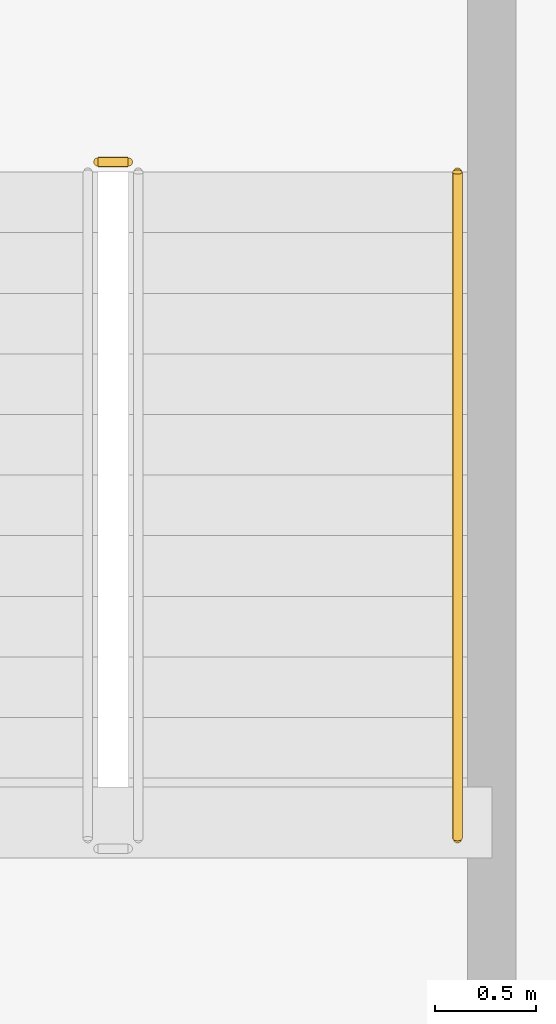
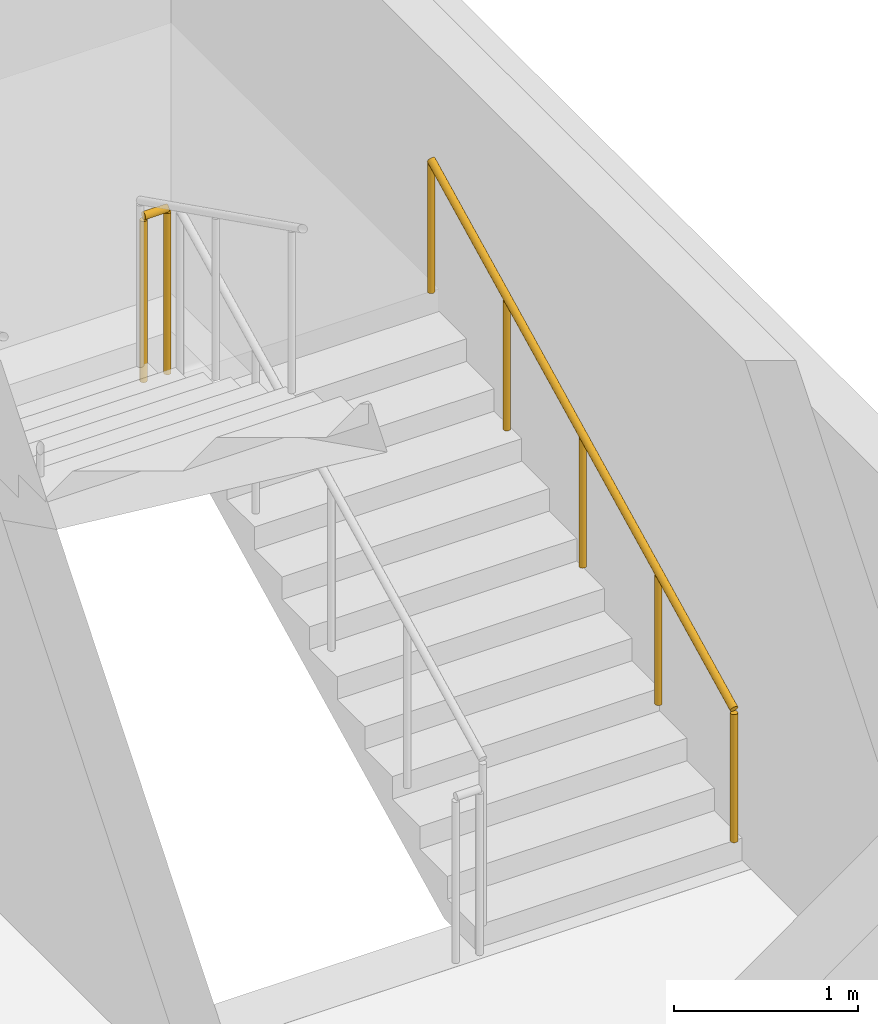
# One storey, part 15 of 15: 2 railings.
"""IFC4 building model written with IfcOpenShell, lengths in metres."""

import ifcopenshell
import ifcopenshell.guid

model = None  # the IFC model being written
_history = None  # IfcOwnerHistory: only IFC2X3 demands one
_inside = {}  # id of a spatial element -> (the spatial element, [elements in it])
_under = {}  # id of a project, library or spatial element -> (it, [spatial elements below it])
_declared = {}  # id of a project -> (the project, [libraries it declares])
_typed = {}  # id of a type object -> (the type object, [elements of that type])
_made_of = {}  # id of a material, layer set ... -> (it, [elements and type objects made of it])


def new_model(schema):
    """Start an empty IFC model of exactly this schema.

    Asked for "IFC4X3", IfcOpenShell would pick the latest addendum, in which some entities
    have other attributes; the version numbers below select the first issue.
    IFC2X3 requires an IfcOwnerHistory on every rooted entity: one is made here for all.
    """
    global model, _history
    if schema == "IFC4X3":
        model = ifcopenshell.file(schema_version=(4, 3, 0, 0))
    else:
        model = ifcopenshell.file(schema=schema)
    _inside.clear()
    _under.clear()
    _declared.clear()
    _typed.clear()
    _made_of.clear()
    _history = None
    if model.schema == "IFC2X3":
        org = make("IfcOrganization", Name="unknown")
        user = make(
            "IfcPersonAndOrganization",
            ThePerson=make("IfcPerson", FamilyName="unknown"),
            TheOrganization=org,
        )
        app = make(
            "IfcApplication",
            ApplicationDeveloper=org,
            Version="unknown",
            ApplicationFullName="unknown",
            ApplicationIdentifier="unknown",
        )
        _history = make(
            "IfcOwnerHistory",
            OwningUser=user,
            OwningApplication=app,
            ChangeAction="ADDED",
            CreationDate=0,
        )
    return model


def make(cls, **values):
    """One entity of the class cls with the attributes given. An attribute that is None is left unset."""
    return model.create_entity(
        cls, **{name: value for name, value in values.items() if value is not None}
    )


def rooted(cls, **values):
    """An entity with a GlobalId (a new one), such as an element, a storey or a relation."""
    return make(cls, GlobalId=ifcopenshell.guid.new(), OwnerHistory=_history, **values)


def si_unit(unit_type, name, prefix=None):
    """IfcSIUnit, for example si_unit("LENGTHUNIT", "METRE", prefix="MILLI")."""
    return make("IfcSIUnit", UnitType=unit_type, Prefix=prefix, Name=name)


def assignment(units):
    """IfcUnitAssignment: the units of a project."""
    return None if units is None else make("IfcUnitAssignment", Units=units)


def point(xyz):
    """IfcCartesianPoint."""
    return None if xyz is None else make("IfcCartesianPoint", Coordinates=xyz)


def direction(xyz):
    """IfcDirection."""
    return None if xyz is None else make("IfcDirection", DirectionRatios=xyz)


def frame(location, z_axis=None, x_axis=None):
    """IfcAxis2Placement3D, a coordinate frame: its origin and axes. An axis left out is left unset."""
    return make(
        "IfcAxis2Placement3D",
        Location=point(location),
        Axis=direction(z_axis),
        RefDirection=direction(x_axis),
    )


def frame_2d(location, x_axis=None):
    """IfcAxis2Placement2D, a coordinate frame in the plane: its origin and x axis."""
    return make(
        "IfcAxis2Placement2D", Location=point(location), RefDirection=direction(x_axis)
    )


def origin():
    """The frame at (0, 0, 0) with its axes left unset."""
    return frame((0.0, 0.0, 0.0))


def origin_2d():
    """The frame at (0, 0) in the plane with its x axis left unset."""
    return frame_2d((0.0, 0.0))


def place(relative_to, where):
    """IfcLocalPlacement: puts the frame where relative to a parent placement (None: the world)."""
    return make(
        "IfcLocalPlacement", PlacementRelTo=relative_to, RelativePlacement=where
    )


def context(
    kind, dimensions, precision=None, world=None, true_north=None, identifier=None
):
    """IfcGeometricRepresentationContext, for example the 3D "Model" context."""
    return make(
        "IfcGeometricRepresentationContext",
        ContextIdentifier=identifier,
        ContextType=kind,
        CoordinateSpaceDimension=dimensions,
        Precision=precision,
        WorldCoordinateSystem=world,
        TrueNorth=true_north,
    )


def subcontext(parent, identifier, kind, view, scale=None):
    """IfcGeometricRepresentationSubContext, for example "Body" below "Model"."""
    return make(
        "IfcGeometricRepresentationSubContext",
        ContextIdentifier=identifier,
        ContextType=kind,
        ParentContext=parent,
        TargetScale=scale,
        TargetView=view,
    )


def project(units=None, contexts=None):
    """IfcProject with its units and contexts."""
    return rooted(
        "IfcProject",
        Name="project",
        RepresentationContexts=contexts,
        UnitsInContext=assignment(units),
    )


def spatial(cls, under=None, at=None, **own):
    """A site, building, storey or space (cls), placed at a placement, below another one or the project."""
    s = rooted(cls, ObjectPlacement=at, **own)
    if under is not None:
        _under.setdefault(under.id(), (under, []))[1].append(s)
    return s


def profile(cls, at=None, kind="AREA", **sizes):
    """A parametric profile (cls). Its sizes go by their IFC names, for example OverallWidth=200.0."""
    return make(cls, ProfileType=kind, Position=at, **sizes)


def circle(**sizes):
    """IfcCircleProfileDef."""
    return profile("IfcCircleProfileDef", **sizes)


def extrude(swept, where, along, depth):
    """IfcExtrudedAreaSolid: the profile swept, set in the frame where, extruded along a direction by depth."""
    return make(
        "IfcExtrudedAreaSolid",
        SweptArea=swept,
        Position=where,
        ExtrudedDirection=direction(along),
        Depth=depth,
    )


def shape(context_of_items, identifier, shape_type, items):
    """IfcShapeRepresentation: the items that make up one representation, for example the "Body"."""
    return make(
        "IfcShapeRepresentation",
        ContextOfItems=context_of_items,
        RepresentationIdentifier=identifier,
        RepresentationType=shape_type,
        Items=items,
    )


def material(Name=None, Category=None):
    """IfcMaterial."""
    return make("IfcMaterial", Name=Name, Category=Category)


def layer(
    of_material, thickness, ventilated=None, Name=None, Category=None, Priority=None
):
    """IfcMaterialLayer: one layer of a wall or slab, of a material (None: an air gap)."""
    return make(
        "IfcMaterialLayer",
        Material=of_material,
        LayerThickness=thickness,
        IsVentilated=ventilated,
        Name=Name,
        Category=Category,
        Priority=Priority,
    )


def layer_set(layers, Name=None):
    """IfcMaterialLayerSet."""
    return make("IfcMaterialLayerSet", MaterialLayers=layers, LayerSetName=Name)


def made_of(thing, what):
    """Note that an element or type object is made of a material, layer set ...; save() writes the relation."""
    if what is not None:
        _made_of.setdefault(what.id(), (what, []))[1].append(thing)
    return thing


def type_object(cls, material=None, **own):
    """A type object (cls), such as IfcWallType, which elements share."""
    return made_of(rooted(cls, **own), material)


def element(
    cls,
    number,
    at=None,
    inside=None,
    cuts=None,
    type_object=None,
    material=None,
    context=None,
    identifier="Body",
    shape_type=None,
    held_by="IfcProductDefinitionShape",
    body=None,
    shapes=None,
    **own,
):
    """One element of the class cls, such as IfcWall. Its Tag is "e" and its number.

    at: its placement. inside: the storey or other place that contains it. cuts: it is an
    opening in that element (IfcRelVoidsElement). A single representation is given by context,
    identifier, shape_type and body (its items); several are given by shapes. held_by: the class
    of the entity that holds the representations. save() writes the other relations.
    """
    e = rooted(cls, Tag="e%d" % number, ObjectPlacement=at, **own)
    if body is not None:
        shapes = [shape(context, identifier, shape_type, body)]
    if shapes is not None:
        e.Representation = make(held_by, Representations=shapes)
    if inside is not None:
        _inside.setdefault(inside.id(), (inside, []))[1].append(e)
    if cuts is not None:
        rooted(
            "IfcRelVoidsElement", RelatingBuildingElement=cuts, RelatedOpeningElement=e
        )
    if type_object is not None:
        _typed.setdefault(type_object.id(), (type_object, []))[1].append(e)
    return made_of(e, material)


def aggregate(whole, parts):
    """IfcRelAggregates: a whole, such as a stair, and the parts it consists of."""
    return rooted("IfcRelAggregates", RelatingObject=whole, RelatedObjects=parts)


def save(model, path):
    """Write the relations noted so far, then the file.

    IfcRelAggregates (storeys below a building ...), IfcRelContainedInSpatialStructure (elements
    in a storey), IfcRelDefinesByType, IfcRelAssociatesMaterial and IfcRelDeclares: one each for
    every whole, place, type object, material and project.
    """
    for whole, parts in _under.values():
        aggregate(whole, parts)
    for where, things in _inside.values():
        rooted(
            "IfcRelContainedInSpatialStructure",
            RelatedElements=things,
            RelatingStructure=where,
        )
    for kind, things in _typed.values():
        rooted("IfcRelDefinesByType", RelatedObjects=things, RelatingType=kind)
    for what, things in _made_of.values():
        rooted("IfcRelAssociatesMaterial", RelatedObjects=things, RelatingMaterial=what)
    for by, libraries in _declared.values():
        rooted("IfcRelDeclares", RelatingContext=by, RelatedDefinitions=libraries)
    model.write(path)


model = new_model("IFC4")

# Units and contexts
model_context = context("Model", 3, precision=1e-05, world=origin(), true_north=direction((0.0, 1.0)))
body_context = subcontext(model_context, "Body", "Model", "MODEL_VIEW")
ifc_project = project(units=[si_unit("LENGTHUNIT", "METRE"), si_unit("AREAUNIT", "SQUARE_METRE"), si_unit("VOLUMEUNIT", "CUBIC_METRE"), si_unit("PLANEANGLEUNIT", "RADIAN"), si_unit("MASSUNIT", "GRAM", prefix="KILO")], contexts=[model_context])

# Site, building, storey
site_placement = place(None, origin())
site = spatial("IfcSite", under=ifc_project, at=site_placement, CompositionType="ELEMENT")
building_placement = place(site_placement, origin())
building = spatial("IfcBuilding", under=site, at=building_placement, Name="Yukiwa Park Conservatory and Herbarium", CompositionType="ELEMENT")
storey_placement = place(building_placement, frame((0.0, 0.0, 54.0)))
storey = spatial("IfcBuildingStorey", under=building, at=storey_placement, Name="L14", CompositionType="ELEMENT", Elevation=54.0)

# Railings
ifc_material_1 = material(Name="Steel Q235B", Category="steel")
ifc_layer_1 = layer(ifc_material_1, 0.050048828125)
ifc_layer_set_1 = layer_set([ifc_layer_1], Name="Steel Q235B")
railing_type_1 = type_object("IfcRailingType", Name="RL-STAIR-GUARD-1120", PredefinedType="BALUSTRADE", material=ifc_layer_set_1)
railing_1_placement = place(storey_placement, frame((165.52001953125, 111.72998046875, 1.800048828125)))
element("IfcRailing", 1, at=railing_1_placement, inside=storey, type_object=railing_type_1, Name="L14 ST-T3 stair guard 2", PredefinedType="BALUSTRADE", context=body_context, shape_type="SweptSolid", body=[
    extrude(circle(Radius=0.02392578125, at=origin_2d()), frame((0.0, 0.0, 1.09619140625), z_axis=(-1.0, 0.0, 0.0), x_axis=(0.0, -1.0, 0.0)), (0.0, 0.0, 1.0), 0.14990234375),
    extrude(circle(Radius=0.02099609375, at=origin_2d()), origin(), (0.0, 0.0, 1.0), 1.072021484375),
    extrude(circle(Radius=0.02099609375, at=origin_2d()), frame((-0.14990234375, 0.0, 0.0)), (0.0, 0.0, 1.0), 1.072021484375),
])
ifc_material_2 = material(Name="Steel Q235B", Category="steel")
ifc_layer_2 = layer(ifc_material_2, 0.044921875)
ifc_layer_set_2 = layer_set([ifc_layer_2], Name="Steel Q235B")
railing_type_2 = type_object("IfcRailingType", Name="RL-STAIR-RAIL-900", PredefinedType="HANDRAIL", material=ifc_layer_set_2)
railing_2_placement = place(storey_placement, frame((167.14990234375, 108.3798828125, 0.14990234375)))
element("IfcRailing", 2, at=railing_2_placement, inside=storey, type_object=railing_type_2, Name="L14 ST-T3 stair handrail 1", PredefinedType="HANDRAIL", context=body_context, shape_type="SweptSolid", body=[
    extrude(circle(Radius=0.02392578125, at=origin_2d()), frame((0.0, 0.0, 0.8759765625), z_axis=(0.0, 0.894413956696, 0.447240063129), x_axis=(-1.0, 0.0, 0.0)), (0.0, 0.0, 1.0), 3.689697265625),
    extrude(circle(Radius=0.02099609375, at=origin_2d()), origin(), (0.0, 0.0, 1.0), 0.851806640625),
    extrude(circle(Radius=0.02099609375, at=origin_2d()), frame((0.0, 0.824951171875, 0.41259765625)), (0.0, 0.0, 1.0), 0.851806640625),
    extrude(circle(Radius=0.02099609375, at=origin_2d()), frame((0.0, 1.64990234375, 0.8251953125)), (0.0, 0.0, 1.0), 0.851806640625),
    extrude(circle(Radius=0.02099609375, at=origin_2d()), frame((0.0, 2.47509765625, 1.237548828125)), (0.0, 0.0, 1.0), 0.851806640625),
    extrude(circle(Radius=0.02099609375, at=origin_2d()), frame((0.0, 3.300048828125, 1.650146484375)), (0.0, 0.0, 1.0), 0.851806640625),
])

save(model, "model.ifc")
